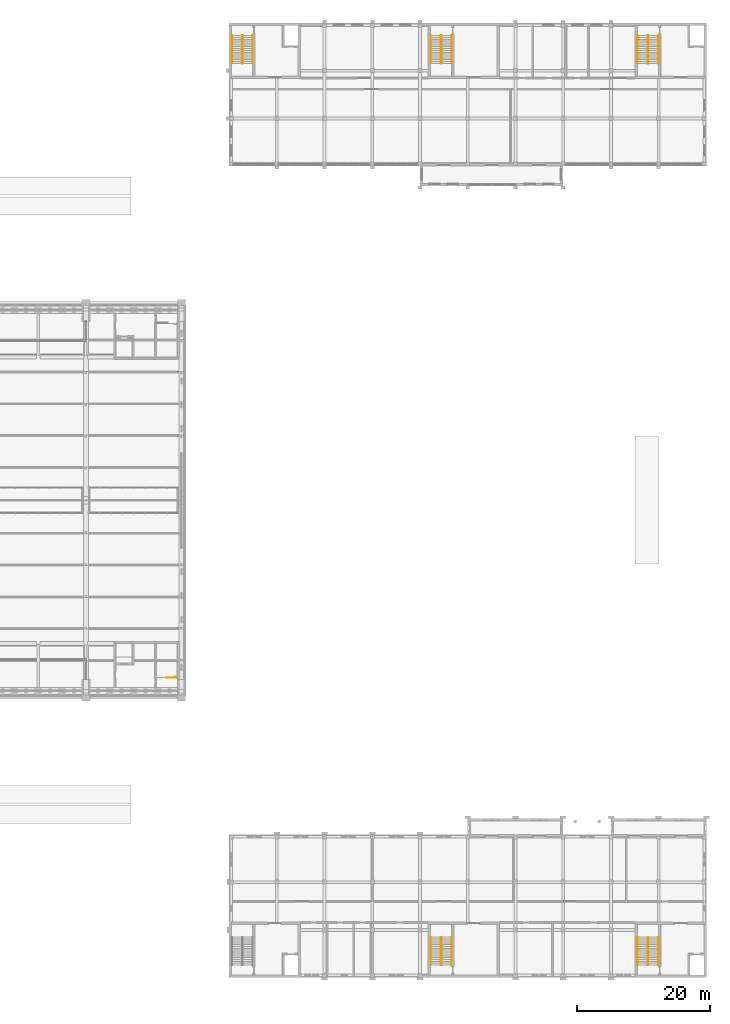
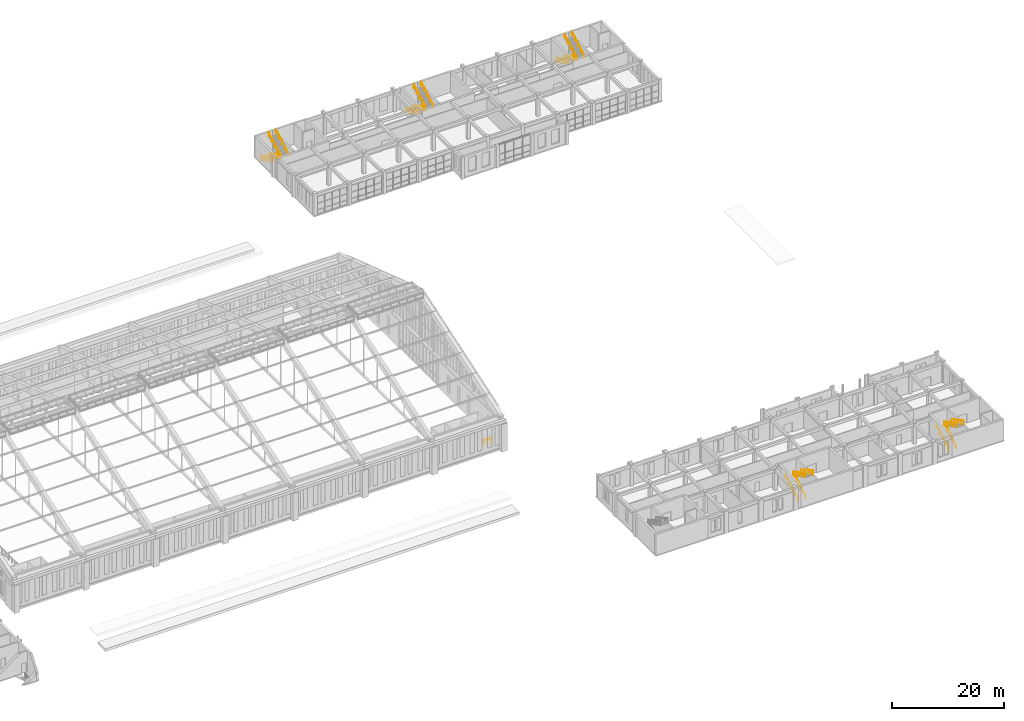
# One storey, part 149 of 149: 21 railings.
"""IFC4 building model written with IfcOpenShell, lengths in metres."""

from ifc_helpers import new_model, si_unit, direction, frame, origin, origin_2d, place, context, subcontext, project, spatial, circle, extrude, material, type_object, element, save


model = new_model("IFC4")

# Units and contexts
model_context = context("Model", 3, precision=1e-05, world=origin(), true_north=direction((0.0, 1.0)))
body_context = subcontext(model_context, "Body", "Model", "MODEL_VIEW")
ifc_project = project(units=[si_unit("LENGTHUNIT", "METRE"), si_unit("AREAUNIT", "SQUARE_METRE"), si_unit("VOLUMEUNIT", "CUBIC_METRE"), si_unit("PLANEANGLEUNIT", "RADIAN"), si_unit("MASSUNIT", "GRAM", prefix="KILO")], contexts=[model_context])

# Site, building, storey
site_placement = place(None, origin())
site = spatial("IfcSite", under=ifc_project, at=site_placement, CompositionType="ELEMENT")
building_placement = place(site_placement, origin())
building = spatial("IfcBuilding", under=site, at=building_placement, Name="Alderwick Market Hall", CompositionType="ELEMENT")
storey_placement = place(building_placement, frame((0.0, 0.0, 9.60009765625)))
storey = spatial("IfcBuildingStorey", under=building, at=storey_placement, Name="L01", CompositionType="ELEMENT", Elevation=9.60009765625)

# Railings
ifc_material_1 = material(Name="Steel ASTM A500 Grade C", Category="steel")
railing_type_1 = type_object("IfcRailingType", Name="C Stair Handrail 900", PredefinedType="HANDRAIL", material=ifc_material_1)
for number, where, name in (
    (1, (188.820068359375, 9.10009765625, 0.14990234375), "C.rail.L01.B.1"),
    (2, (190.3798828125, 9.10009765625, 0.14990234375), "C.rail.L01.B.2"),
):
    element("IfcRailing", number, at=place(storey_placement, frame(where)), inside=storey, type_object=railing_type_1, Name=name, PredefinedType="HANDRAIL", context=body_context, shape_type="SweptSolid", body=[
        extrude(circle(Radius=0.02392578125, at=origin_2d()), frame((0.0, 0.0, 0.8759765625), z_axis=(0.0, 0.881477684796, 0.472225678258), x_axis=(-1.0, 0.0, 0.0)), (0.0, 0.0, 1.0), 4.7646484375),
        extrude(circle(Radius=0.02099609375, at=origin_2d()), origin(), (0.0, 0.0, 1.0), 0.851806640625),
        extrude(circle(Radius=0.02099609375, at=origin_2d()), frame((0.0, 1.050048828125, 0.5625)), (0.0, 0.0, 1.0), 0.851806640625),
        extrude(circle(Radius=0.02099609375, at=origin_2d()), frame((0.0, 2.10009765625, 1.125)), (0.0, 0.0, 1.0), 0.851806640625),
        extrude(circle(Radius=0.02099609375, at=origin_2d()), frame((0.0, 3.14990234375, 1.6875)), (0.0, 0.0, 1.0), 0.851806640625),
        extrude(circle(Radius=0.02099609375, at=origin_2d()), frame((0.0, 4.199951171875, 2.25)), (0.0, 0.0, 1.0), 0.851806640625),
    ])
for number, where, name in (
    (3, (190.419921875, 13.300048828125, 2.5498046875), "C.rail.L01.B.3"),
    (4, (191.97998046875, 13.300048828125, 2.5498046875), "C.rail.L01.B.4"),
):
    element("IfcRailing", number, at=place(storey_placement, frame(where)), inside=storey, type_object=railing_type_1, Name=name, PredefinedType="HANDRAIL", context=body_context, shape_type="SweptSolid", body=[
        extrude(circle(Radius=0.02392578125, at=origin_2d()), frame((0.0, 0.0, 0.8759765625), z_axis=(0.0, -0.881477684796, 0.472225678258), x_axis=(1.0, 0.0, 0.0)), (0.0, 0.0, 1.0), 4.7646484375),
        extrude(circle(Radius=0.02099609375, at=origin_2d()), origin(), (0.0, 0.0, 1.0), 0.851806640625),
        extrude(circle(Radius=0.02099609375, at=origin_2d()), frame((0.0, -1.050048828125, 0.5625)), (0.0, 0.0, 1.0), 0.851806640625),
        extrude(circle(Radius=0.02099609375, at=origin_2d()), frame((0.0, -2.10009765625, 1.125)), (0.0, 0.0, 1.0), 0.851806640625),
        extrude(circle(Radius=0.02099609375, at=origin_2d()), frame((0.0, -3.14990234375, 1.6875)), (0.0, 0.0, 1.0), 0.851806640625),
        extrude(circle(Radius=0.02099609375, at=origin_2d()), frame((0.0, -4.199951171875, 2.25)), (0.0, 0.0, 1.0), 0.851806640625),
    ])
for number, where, name in (
    (5, (220.02001953125, 9.10009765625, 0.14990234375), "C.rail.L01.C.1"),
    (6, (221.580078125, 9.10009765625, 0.14990234375), "C.rail.L01.C.2"),
):
    element("IfcRailing", number, at=place(storey_placement, frame(where)), inside=storey, type_object=railing_type_1, Name=name, PredefinedType="HANDRAIL", context=body_context, shape_type="SweptSolid", body=[
        extrude(circle(Radius=0.02392578125, at=origin_2d()), frame((0.0, 0.0, 0.8759765625), z_axis=(0.0, 0.881477684796, 0.472225678258), x_axis=(-1.0, 0.0, 0.0)), (0.0, 0.0, 1.0), 4.7646484375),
        extrude(circle(Radius=0.02099609375, at=origin_2d()), origin(), (0.0, 0.0, 1.0), 0.851806640625),
        extrude(circle(Radius=0.02099609375, at=origin_2d()), frame((0.0, 1.050048828125, 0.5625)), (0.0, 0.0, 1.0), 0.851806640625),
        extrude(circle(Radius=0.02099609375, at=origin_2d()), frame((0.0, 2.10009765625, 1.125)), (0.0, 0.0, 1.0), 0.851806640625),
        extrude(circle(Radius=0.02099609375, at=origin_2d()), frame((0.0, 3.14990234375, 1.6875)), (0.0, 0.0, 1.0), 0.851806640625),
        extrude(circle(Radius=0.02099609375, at=origin_2d()), frame((0.0, 4.199951171875, 2.25)), (0.0, 0.0, 1.0), 0.851806640625),
    ])
for number, where, name in (
    (7, (221.6201171875, 13.300048828125, 2.5498046875), "C.rail.L01.C.3"),
    (8, (223.179931640625, 13.300048828125, 2.5498046875), "C.rail.L01.C.4"),
):
    element("IfcRailing", number, at=place(storey_placement, frame(where)), inside=storey, type_object=railing_type_1, Name=name, PredefinedType="HANDRAIL", context=body_context, shape_type="SweptSolid", body=[
        extrude(circle(Radius=0.02392578125, at=origin_2d()), frame((0.0, 0.0, 0.8759765625), z_axis=(0.0, -0.881477684796, 0.472225678258), x_axis=(1.0, 0.0, 0.0)), (0.0, 0.0, 1.0), 4.7646484375),
        extrude(circle(Radius=0.02099609375, at=origin_2d()), origin(), (0.0, 0.0, 1.0), 0.851806640625),
        extrude(circle(Radius=0.02099609375, at=origin_2d()), frame((0.0, -1.050048828125, 0.5625)), (0.0, 0.0, 1.0), 0.851806640625),
        extrude(circle(Radius=0.02099609375, at=origin_2d()), frame((0.0, -2.10009765625, 1.125)), (0.0, 0.0, 1.0), 0.851806640625),
        extrude(circle(Radius=0.02099609375, at=origin_2d()), frame((0.0, -3.14990234375, 1.6875)), (0.0, 0.0, 1.0), 0.851806640625),
        extrude(circle(Radius=0.02099609375, at=origin_2d()), frame((0.0, -4.199951171875, 2.25)), (0.0, 0.0, 1.0), 0.851806640625),
    ])
railing_type_2 = type_object("IfcRailingType", Name="F Stair Handrail 900", PredefinedType="HANDRAIL", material=ifc_material_1)
for number, where, name in (
    (9, (158.820068359375, 149.300048828125, 0.14990234375), "F.rail.L01.A.1"),
    (10, (160.3798828125, 149.300048828125, 0.14990234375), "F.rail.L01.A.2"),
):
    element("IfcRailing", number, at=place(storey_placement, frame(where)), inside=storey, type_object=railing_type_2, Name=name, PredefinedType="HANDRAIL", context=body_context, shape_type="SweptSolid", body=[
        extrude(circle(Radius=0.02392578125, at=origin_2d()), frame((0.0, 0.0, 0.8759765625), z_axis=(0.0, -0.881477684796, 0.472225678258), x_axis=(1.0, 0.0, 0.0)), (0.0, 0.0, 1.0), 4.7646484375),
        extrude(circle(Radius=0.02099609375, at=origin_2d()), origin(), (0.0, 0.0, 1.0), 0.851806640625),
        extrude(circle(Radius=0.02099609375, at=origin_2d()), frame((0.0, -1.050048828125, 0.5625)), (0.0, 0.0, 1.0), 0.851806640625),
        extrude(circle(Radius=0.02099609375, at=origin_2d()), frame((0.0, -2.10009765625, 1.125)), (0.0, 0.0, 1.0), 0.851806640625),
        extrude(circle(Radius=0.02099609375, at=origin_2d()), frame((0.0, -3.14990234375, 1.6875)), (0.0, 0.0, 1.0), 0.851806640625),
        extrude(circle(Radius=0.02099609375, at=origin_2d()), frame((0.0, -4.199951171875, 2.25)), (0.0, 0.0, 1.0), 0.851806640625),
    ])
for number, where, name in (
    (11, (160.419921875, 145.10009765625, 2.5498046875), "F.rail.L01.A.3"),
    (12, (161.97998046875, 145.10009765625, 2.5498046875), "F.rail.L01.A.4"),
):
    element("IfcRailing", number, at=place(storey_placement, frame(where)), inside=storey, type_object=railing_type_2, Name=name, PredefinedType="HANDRAIL", context=body_context, shape_type="SweptSolid", body=[
        extrude(circle(Radius=0.02392578125, at=origin_2d()), frame((0.0, 0.0, 0.8759765625), z_axis=(0.0, 0.881477684796, 0.472225678258), x_axis=(-1.0, 0.0, 0.0)), (0.0, 0.0, 1.0), 4.7646484375),
        extrude(circle(Radius=0.02099609375, at=origin_2d()), origin(), (0.0, 0.0, 1.0), 0.851806640625),
        extrude(circle(Radius=0.02099609375, at=origin_2d()), frame((0.0, 1.050048828125, 0.5625)), (0.0, 0.0, 1.0), 0.851806640625),
        extrude(circle(Radius=0.02099609375, at=origin_2d()), frame((0.0, 2.10009765625, 1.125)), (0.0, 0.0, 1.0), 0.851806640625),
        extrude(circle(Radius=0.02099609375, at=origin_2d()), frame((0.0, 3.14990234375, 1.6875)), (0.0, 0.0, 1.0), 0.851806640625),
        extrude(circle(Radius=0.02099609375, at=origin_2d()), frame((0.0, 4.199951171875, 2.25)), (0.0, 0.0, 1.0), 0.851806640625),
    ])
for number, where, name in (
    (13, (188.820068359375, 149.300048828125, 0.14990234375), "F.rail.L01.B.1"),
    (14, (190.3798828125, 149.300048828125, 0.14990234375), "F.rail.L01.B.2"),
):
    element("IfcRailing", number, at=place(storey_placement, frame(where)), inside=storey, type_object=railing_type_2, Name=name, PredefinedType="HANDRAIL", context=body_context, shape_type="SweptSolid", body=[
        extrude(circle(Radius=0.02392578125, at=origin_2d()), frame((0.0, 0.0, 0.8759765625), z_axis=(0.0, -0.881477684796, 0.472225678258), x_axis=(1.0, 0.0, 0.0)), (0.0, 0.0, 1.0), 4.7646484375),
        extrude(circle(Radius=0.02099609375, at=origin_2d()), origin(), (0.0, 0.0, 1.0), 0.851806640625),
        extrude(circle(Radius=0.02099609375, at=origin_2d()), frame((0.0, -1.050048828125, 0.5625)), (0.0, 0.0, 1.0), 0.851806640625),
        extrude(circle(Radius=0.02099609375, at=origin_2d()), frame((0.0, -2.10009765625, 1.125)), (0.0, 0.0, 1.0), 0.851806640625),
        extrude(circle(Radius=0.02099609375, at=origin_2d()), frame((0.0, -3.14990234375, 1.6875)), (0.0, 0.0, 1.0), 0.851806640625),
        extrude(circle(Radius=0.02099609375, at=origin_2d()), frame((0.0, -4.199951171875, 2.25)), (0.0, 0.0, 1.0), 0.851806640625),
    ])
for number, where, name in (
    (15, (190.419921875, 145.10009765625, 2.5498046875), "F.rail.L01.B.3"),
    (16, (191.97998046875, 145.10009765625, 2.5498046875), "F.rail.L01.B.4"),
):
    element("IfcRailing", number, at=place(storey_placement, frame(where)), inside=storey, type_object=railing_type_2, Name=name, PredefinedType="HANDRAIL", context=body_context, shape_type="SweptSolid", body=[
        extrude(circle(Radius=0.02392578125, at=origin_2d()), frame((0.0, 0.0, 0.8759765625), z_axis=(0.0, 0.881477684796, 0.472225678258), x_axis=(-1.0, 0.0, 0.0)), (0.0, 0.0, 1.0), 4.7646484375),
        extrude(circle(Radius=0.02099609375, at=origin_2d()), origin(), (0.0, 0.0, 1.0), 0.851806640625),
        extrude(circle(Radius=0.02099609375, at=origin_2d()), frame((0.0, 1.050048828125, 0.5625)), (0.0, 0.0, 1.0), 0.851806640625),
        extrude(circle(Radius=0.02099609375, at=origin_2d()), frame((0.0, 2.10009765625, 1.125)), (0.0, 0.0, 1.0), 0.851806640625),
        extrude(circle(Radius=0.02099609375, at=origin_2d()), frame((0.0, 3.14990234375, 1.6875)), (0.0, 0.0, 1.0), 0.851806640625),
        extrude(circle(Radius=0.02099609375, at=origin_2d()), frame((0.0, 4.199951171875, 2.25)), (0.0, 0.0, 1.0), 0.851806640625),
    ])
for number, where, name in (
    (17, (220.02001953125, 149.300048828125, 0.14990234375), "F.rail.L01.C.1"),
    (18, (221.580078125, 149.300048828125, 0.14990234375), "F.rail.L01.C.2"),
):
    element("IfcRailing", number, at=place(storey_placement, frame(where)), inside=storey, type_object=railing_type_2, Name=name, PredefinedType="HANDRAIL", context=body_context, shape_type="SweptSolid", body=[
        extrude(circle(Radius=0.02392578125, at=origin_2d()), frame((0.0, 0.0, 0.8759765625), z_axis=(0.0, -0.881477684796, 0.472225678258), x_axis=(1.0, 0.0, 0.0)), (0.0, 0.0, 1.0), 4.7646484375),
        extrude(circle(Radius=0.02099609375, at=origin_2d()), origin(), (0.0, 0.0, 1.0), 0.851806640625),
        extrude(circle(Radius=0.02099609375, at=origin_2d()), frame((0.0, -1.050048828125, 0.5625)), (0.0, 0.0, 1.0), 0.851806640625),
        extrude(circle(Radius=0.02099609375, at=origin_2d()), frame((0.0, -2.10009765625, 1.125)), (0.0, 0.0, 1.0), 0.851806640625),
        extrude(circle(Radius=0.02099609375, at=origin_2d()), frame((0.0, -3.14990234375, 1.6875)), (0.0, 0.0, 1.0), 0.851806640625),
        extrude(circle(Radius=0.02099609375, at=origin_2d()), frame((0.0, -4.199951171875, 2.25)), (0.0, 0.0, 1.0), 0.851806640625),
    ])
for number, where, name in (
    (19, (221.6201171875, 145.10009765625, 2.5498046875), "F.rail.L01.C.3"),
    (20, (223.179931640625, 145.10009765625, 2.5498046875), "F.rail.L01.C.4"),
):
    element("IfcRailing", number, at=place(storey_placement, frame(where)), inside=storey, type_object=railing_type_2, Name=name, PredefinedType="HANDRAIL", context=body_context, shape_type="SweptSolid", body=[
        extrude(circle(Radius=0.02392578125, at=origin_2d()), frame((0.0, 0.0, 0.8759765625), z_axis=(0.0, 0.881477684796, 0.472225678258), x_axis=(-1.0, 0.0, 0.0)), (0.0, 0.0, 1.0), 4.7646484375),
        extrude(circle(Radius=0.02099609375, at=origin_2d()), origin(), (0.0, 0.0, 1.0), 0.851806640625),
        extrude(circle(Radius=0.02099609375, at=origin_2d()), frame((0.0, 1.050048828125, 0.5625)), (0.0, 0.0, 1.0), 0.851806640625),
        extrude(circle(Radius=0.02099609375, at=origin_2d()), frame((0.0, 2.10009765625, 1.125)), (0.0, 0.0, 1.0), 0.851806640625),
        extrude(circle(Radius=0.02099609375, at=origin_2d()), frame((0.0, 3.14990234375, 1.6875)), (0.0, 0.0, 1.0), 0.851806640625),
        extrude(circle(Radius=0.02099609375, at=origin_2d()), frame((0.0, 4.199951171875, 2.25)), (0.0, 0.0, 1.0), 0.851806640625),
    ])
ifc_material_2 = material(Name="Steel, painted", Category="steel")
railing_type_3 = type_object("IfcRailingType", Name="H Guard 1100", PredefinedType="GUARDRAIL", material=ifc_material_2)
railing_placement = place(storey_placement, frame((150.60009765625, 52.449951171875, 0.0)))
element("IfcRailing", 21, at=railing_placement, inside=storey, type_object=railing_type_3, Name="L01 H-SE top well guard 1", PredefinedType="GUARDRAIL", context=body_context, shape_type="SweptSolid", body=[
    extrude(circle(Radius=0.02392578125, at=origin_2d()), frame((0.0, 0.0, 1.076171875), z_axis=(-1.0, 0.0, 0.0), x_axis=(0.0, -1.0, 0.0)), (0.0, 0.0, 1.0), 1.650146484375),
    extrude(circle(Radius=0.02099609375, at=origin_2d()), origin(), (0.0, 0.0, 1.0), 1.052001953125),
    extrude(circle(Radius=0.02099609375, at=origin_2d()), frame((-0.8251953125, 0.0, 0.0)), (0.0, 0.0, 1.0), 1.052001953125),
    extrude(circle(Radius=0.02099609375, at=origin_2d()), frame((-1.650146484375, 0.0, 0.0)), (0.0, 0.0, 1.0), 1.052001953125),
])

save(model, "model.ifc")
